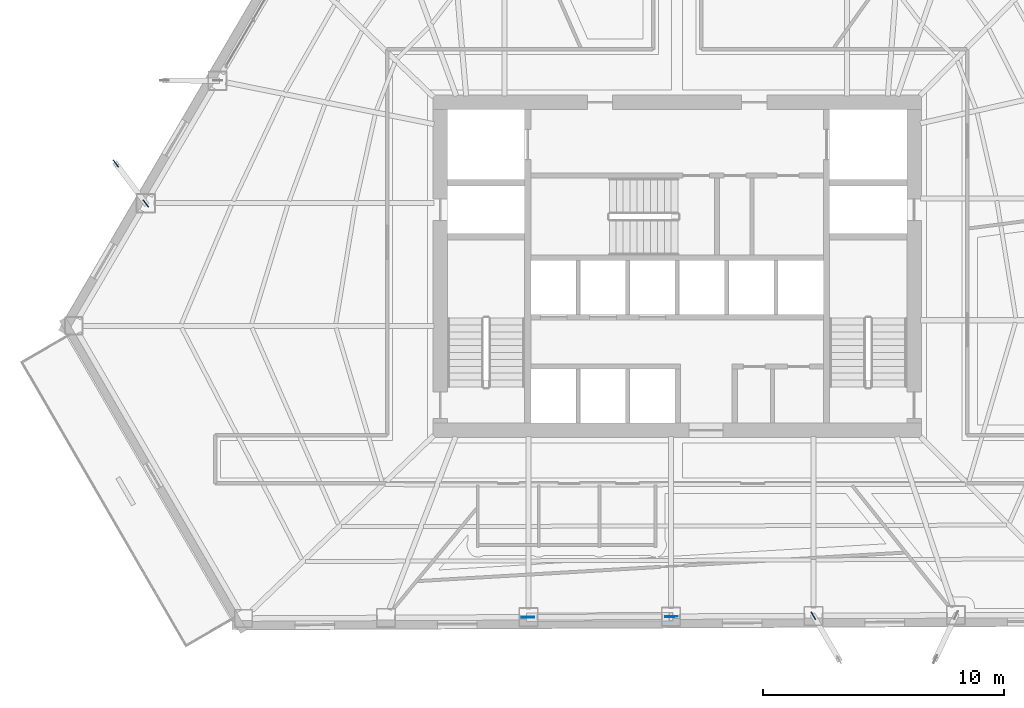
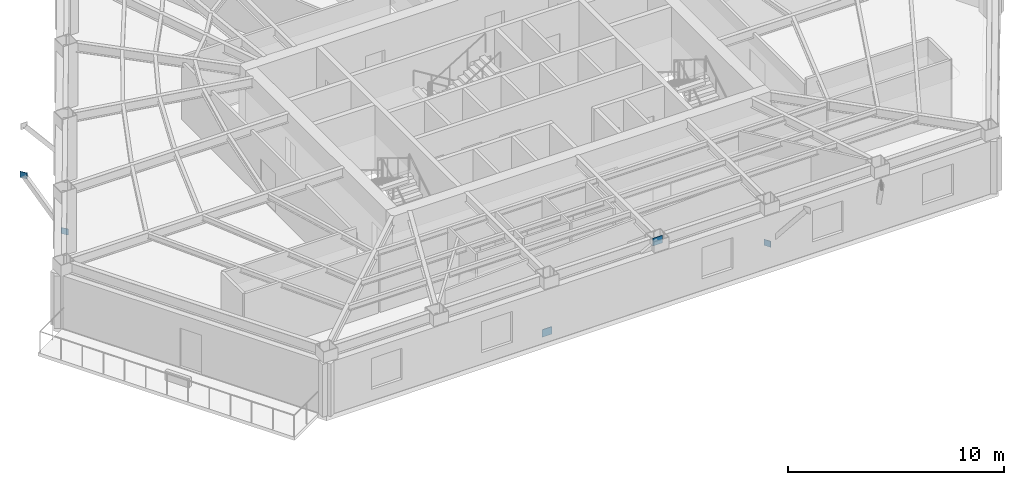
# One storey, part 5 of 15: 5 plates.
"""IFC4 building model written with IfcOpenShell, lengths in metres."""

import ifcopenshell
import ifcopenshell.guid

model = None  # the IFC model being written
_history = None  # IfcOwnerHistory: only IFC2X3 demands one
_inside = {}  # id of a spatial element -> (the spatial element, [elements in it])
_under = {}  # id of a project, library or spatial element -> (it, [spatial elements below it])
_declared = {}  # id of a project -> (the project, [libraries it declares])
_typed = {}  # id of a type object -> (the type object, [elements of that type])
_made_of = {}  # id of a material, layer set ... -> (it, [elements and type objects made of it])


def new_model(schema):
    """Start an empty IFC model of exactly this schema.

    Asked for "IFC4X3", IfcOpenShell would pick the latest addendum, in which some entities
    have other attributes; the version numbers below select the first issue.
    IFC2X3 requires an IfcOwnerHistory on every rooted entity: one is made here for all.
    """
    global model, _history
    if schema == "IFC4X3":
        model = ifcopenshell.file(schema_version=(4, 3, 0, 0))
    else:
        model = ifcopenshell.file(schema=schema)
    _inside.clear()
    _under.clear()
    _declared.clear()
    _typed.clear()
    _made_of.clear()
    _history = None
    if model.schema == "IFC2X3":
        org = make("IfcOrganization", Name="unknown")
        user = make(
            "IfcPersonAndOrganization",
            ThePerson=make("IfcPerson", FamilyName="unknown"),
            TheOrganization=org,
        )
        app = make(
            "IfcApplication",
            ApplicationDeveloper=org,
            Version="unknown",
            ApplicationFullName="unknown",
            ApplicationIdentifier="unknown",
        )
        _history = make(
            "IfcOwnerHistory",
            OwningUser=user,
            OwningApplication=app,
            ChangeAction="ADDED",
            CreationDate=0,
        )
    return model


def make(cls, **values):
    """One entity of the class cls with the attributes given. An attribute that is None is left unset."""
    return model.create_entity(
        cls, **{name: value for name, value in values.items() if value is not None}
    )


def rooted(cls, **values):
    """An entity with a GlobalId (a new one), such as an element, a storey or a relation."""
    return make(cls, GlobalId=ifcopenshell.guid.new(), OwnerHistory=_history, **values)


def si_unit(unit_type, name, prefix=None):
    """IfcSIUnit, for example si_unit("LENGTHUNIT", "METRE", prefix="MILLI")."""
    return make("IfcSIUnit", UnitType=unit_type, Prefix=prefix, Name=name)


def assignment(units):
    """IfcUnitAssignment: the units of a project."""
    return None if units is None else make("IfcUnitAssignment", Units=units)


def point(xyz):
    """IfcCartesianPoint."""
    return None if xyz is None else make("IfcCartesianPoint", Coordinates=xyz)


def direction(xyz):
    """IfcDirection."""
    return None if xyz is None else make("IfcDirection", DirectionRatios=xyz)


def frame(location, z_axis=None, x_axis=None):
    """IfcAxis2Placement3D, a coordinate frame: its origin and axes. An axis left out is left unset."""
    return make(
        "IfcAxis2Placement3D",
        Location=point(location),
        Axis=direction(z_axis),
        RefDirection=direction(x_axis),
    )


def frame_2d(location, x_axis=None):
    """IfcAxis2Placement2D, a coordinate frame in the plane: its origin and x axis."""
    return make(
        "IfcAxis2Placement2D", Location=point(location), RefDirection=direction(x_axis)
    )


def origin():
    """The frame at (0, 0, 0) with its axes left unset."""
    return frame((0.0, 0.0, 0.0))


def origin_2d():
    """The frame at (0, 0) in the plane with its x axis left unset."""
    return frame_2d((0.0, 0.0))


def place(relative_to, where):
    """IfcLocalPlacement: puts the frame where relative to a parent placement (None: the world)."""
    return make(
        "IfcLocalPlacement", PlacementRelTo=relative_to, RelativePlacement=where
    )


def context(
    kind, dimensions, precision=None, world=None, true_north=None, identifier=None
):
    """IfcGeometricRepresentationContext, for example the 3D "Model" context."""
    return make(
        "IfcGeometricRepresentationContext",
        ContextIdentifier=identifier,
        ContextType=kind,
        CoordinateSpaceDimension=dimensions,
        Precision=precision,
        WorldCoordinateSystem=world,
        TrueNorth=true_north,
    )


def subcontext(parent, identifier, kind, view, scale=None):
    """IfcGeometricRepresentationSubContext, for example "Body" below "Model"."""
    return make(
        "IfcGeometricRepresentationSubContext",
        ContextIdentifier=identifier,
        ContextType=kind,
        ParentContext=parent,
        TargetScale=scale,
        TargetView=view,
    )


def project(units=None, contexts=None):
    """IfcProject with its units and contexts."""
    return rooted(
        "IfcProject",
        Name="project",
        RepresentationContexts=contexts,
        UnitsInContext=assignment(units),
    )


def spatial(cls, under=None, at=None, **own):
    """A site, building, storey or space (cls), placed at a placement, below another one or the project."""
    s = rooted(cls, ObjectPlacement=at, **own)
    if under is not None:
        _under.setdefault(under.id(), (under, []))[1].append(s)
    return s


def profile(cls, at=None, kind="AREA", **sizes):
    """A parametric profile (cls). Its sizes go by their IFC names, for example OverallWidth=200.0."""
    return make(cls, ProfileType=kind, Position=at, **sizes)


def rectangle(**sizes):
    """IfcRectangleProfileDef."""
    return profile("IfcRectangleProfileDef", **sizes)


def extrude(swept, where, along, depth):
    """IfcExtrudedAreaSolid: the profile swept, set in the frame where, extruded along a direction by depth."""
    return make(
        "IfcExtrudedAreaSolid",
        SweptArea=swept,
        Position=where,
        ExtrudedDirection=direction(along),
        Depth=depth,
    )


def shape(context_of_items, identifier, shape_type, items):
    """IfcShapeRepresentation: the items that make up one representation, for example the "Body"."""
    return make(
        "IfcShapeRepresentation",
        ContextOfItems=context_of_items,
        RepresentationIdentifier=identifier,
        RepresentationType=shape_type,
        Items=items,
    )


def material(Name=None, Category=None):
    """IfcMaterial."""
    return make("IfcMaterial", Name=Name, Category=Category)


def layer(
    of_material, thickness, ventilated=None, Name=None, Category=None, Priority=None
):
    """IfcMaterialLayer: one layer of a wall or slab, of a material (None: an air gap)."""
    return make(
        "IfcMaterialLayer",
        Material=of_material,
        LayerThickness=thickness,
        IsVentilated=ventilated,
        Name=Name,
        Category=Category,
        Priority=Priority,
    )


def layer_set(layers, Name=None):
    """IfcMaterialLayerSet."""
    return make("IfcMaterialLayerSet", MaterialLayers=layers, LayerSetName=Name)


def made_of(thing, what):
    """Note that an element or type object is made of a material, layer set ...; save() writes the relation."""
    if what is not None:
        _made_of.setdefault(what.id(), (what, []))[1].append(thing)
    return thing


def type_object(cls, material=None, **own):
    """A type object (cls), such as IfcWallType, which elements share."""
    return made_of(rooted(cls, **own), material)


def element(
    cls,
    number,
    at=None,
    inside=None,
    cuts=None,
    type_object=None,
    material=None,
    context=None,
    identifier="Body",
    shape_type=None,
    held_by="IfcProductDefinitionShape",
    body=None,
    shapes=None,
    **own,
):
    """One element of the class cls, such as IfcWall. Its Tag is "e" and its number.

    at: its placement. inside: the storey or other place that contains it. cuts: it is an
    opening in that element (IfcRelVoidsElement). A single representation is given by context,
    identifier, shape_type and body (its items); several are given by shapes. held_by: the class
    of the entity that holds the representations. save() writes the other relations.
    """
    e = rooted(cls, Tag="e%d" % number, ObjectPlacement=at, **own)
    if body is not None:
        shapes = [shape(context, identifier, shape_type, body)]
    if shapes is not None:
        e.Representation = make(held_by, Representations=shapes)
    if inside is not None:
        _inside.setdefault(inside.id(), (inside, []))[1].append(e)
    if cuts is not None:
        rooted(
            "IfcRelVoidsElement", RelatingBuildingElement=cuts, RelatedOpeningElement=e
        )
    if type_object is not None:
        _typed.setdefault(type_object.id(), (type_object, []))[1].append(e)
    return made_of(e, material)


def aggregate(whole, parts):
    """IfcRelAggregates: a whole, such as a stair, and the parts it consists of."""
    return rooted("IfcRelAggregates", RelatingObject=whole, RelatedObjects=parts)


def save(model, path):
    """Write the relations noted so far, then the file.

    IfcRelAggregates (storeys below a building ...), IfcRelContainedInSpatialStructure (elements
    in a storey), IfcRelDefinesByType, IfcRelAssociatesMaterial and IfcRelDeclares: one each for
    every whole, place, type object, material and project.
    """
    for whole, parts in _under.values():
        aggregate(whole, parts)
    for where, things in _inside.values():
        rooted(
            "IfcRelContainedInSpatialStructure",
            RelatedElements=things,
            RelatingStructure=where,
        )
    for kind, things in _typed.values():
        rooted("IfcRelDefinesByType", RelatedObjects=things, RelatingType=kind)
    for what, things in _made_of.values():
        rooted("IfcRelAssociatesMaterial", RelatedObjects=things, RelatingMaterial=what)
    for by, libraries in _declared.values():
        rooted("IfcRelDeclares", RelatingContext=by, RelatedDefinitions=libraries)
    model.write(path)


model = new_model("IFC4")

# Units and contexts
model_context = context("Model", 3, precision=1e-05, world=origin(), true_north=direction((0.0, 1.0)))
body_context = subcontext(model_context, "Body", "Model", "MODEL_VIEW")
ifc_project = project(units=[si_unit("LENGTHUNIT", "METRE"), si_unit("AREAUNIT", "SQUARE_METRE"), si_unit("VOLUMEUNIT", "CUBIC_METRE"), si_unit("PLANEANGLEUNIT", "RADIAN"), si_unit("MASSUNIT", "GRAM", prefix="KILO")], contexts=[model_context])

# Site, building, storey
site_placement = place(None, origin())
site = spatial("IfcSite", under=ifc_project, at=site_placement, CompositionType="ELEMENT")
building_placement = place(site_placement, origin())
building = spatial("IfcBuilding", under=site, at=building_placement, Name="Kavelnor Concourse Tower", CompositionType="ELEMENT")
storey_placement = place(building_placement, frame((0.0, 0.0, 67.60009765625)))
storey = spatial("IfcBuildingStorey", under=building, at=storey_placement, Name="L17", CompositionType="ELEMENT", Elevation=67.60009765625)

# Plates
ifc_material = material(Name="Steel Grade 350", Category="steel")
ifc_layer_1 = layer(ifc_material, 0.028076171875, Name="Steel Grade 350")
ifc_layer_set_1 = layer_set([ifc_layer_1], Name="Steel Grade 350")
plate_type_1 = type_object("IfcPlateType", Name="PL-GUSSET-FOLD", PredefinedType="USERDEFINED", material=ifc_layer_set_1)
for number, where, z_axis, x_axis, name in (
    (1, (15.971923828125, 18.707275390625, 0.8798828125), (0.0, 0.0, 1.0), (-0.601675625795, 0.798740534419, 0.0), "L17 Balcony Strut Gusset GP4 1-B End Gusset A"),
    (2, (14.728759765625, 20.357666015625, 3.48486328125), (0.0, 0.0, 1.0), (-0.601675625795, 0.798740534419, 0.0), "L17 Balcony Strut Gusset GP4 1-B End Gusset B"),
    (3, (43.645751953125, 1.6142578125, 0.8798828125), (0.0, 0.0, 1.0), (0.505883219381, -0.862601975623, 0.0), "L17 Balcony Strut Gusset GP4 2-A End Gusset A"),
):
    element("IfcPlate", number, at=place(storey_placement, frame(where, z_axis=z_axis, x_axis=x_axis)), inside=storey, type_object=plate_type_1, Name=name, ObjectType="GUSSET_PLATE", PredefinedType="USERDEFINED", context=body_context, shape_type="SweptSolid", body=[
        extrude(rectangle(XDim=0.360107421875, YDim=0.028076171875, at=origin_2d()), origin(), (0.0, 0.0, 1.0), 0.340087890625),
    ])
ifc_layer_2 = layer(ifc_material, 0.031982421875, Name="Steel Grade 350")
ifc_layer_set_2 = layer_set([ifc_layer_2], Name="Steel Grade 350")
plate_type_2 = type_object("IfcPlateType", Name="PL-GUSSET-TUBE-Z1", PredefinedType="USERDEFINED", material=ifc_layer_set_2)
for number, where, z_axis, x_axis, name in (
    (4, (31.8251953125, 1.550537109375, 0.010009765625), (0.0, 0.0, 1.0), (0.999989703949, 0.004537840481, 0.0), "L17 Tube Brace Gusset GP3 F1-B2 End Gusset A"),
    (5, (37.756591796875, 1.577392578125, 3.073974609375), (0.0, 0.0, 1.0), (0.999989703949, 0.004537840481, 0.0), "L17 Tube Brace Gusset GP3 F1-B2 End Gusset B"),
):
    element("IfcPlate", number, at=place(storey_placement, frame(where, z_axis=z_axis, x_axis=x_axis)), inside=storey, type_object=plate_type_2, Name=name, ObjectType="GUSSET_PLATE", PredefinedType="USERDEFINED", context=body_context, shape_type="SweptSolid", body=[
        extrude(rectangle(XDim=0.52001953125, YDim=0.031982421875, at=origin_2d()), origin(), (0.0, 0.0, 1.0), 0.419921875),
    ])

save(model, "model.ifc")
